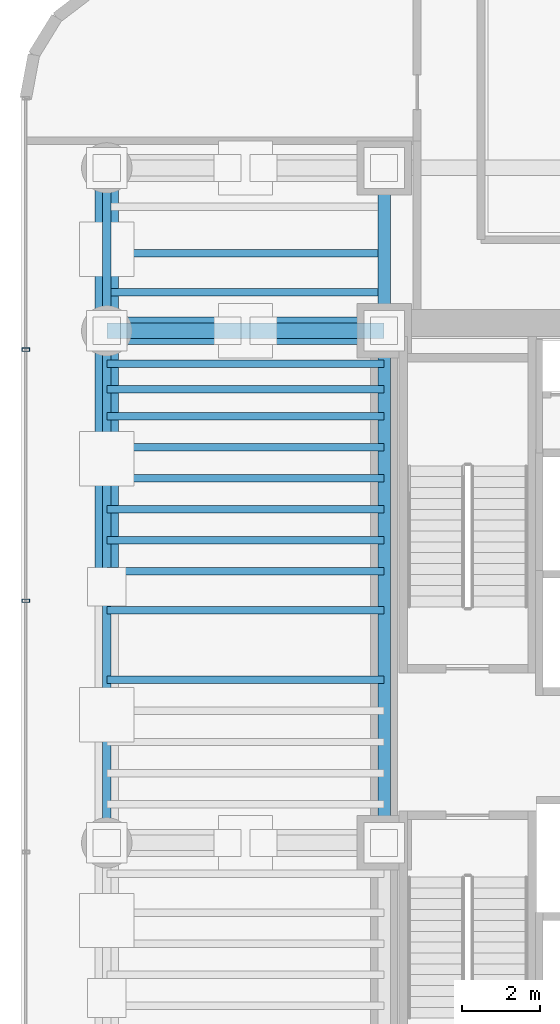
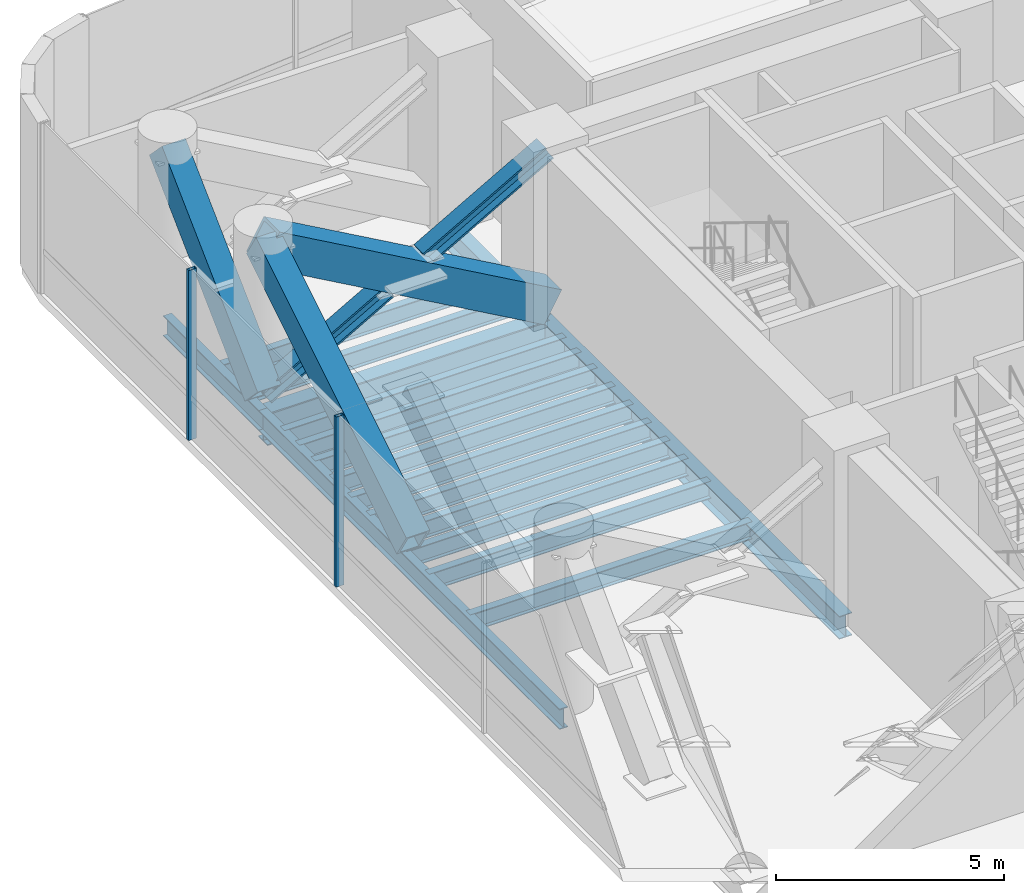
# One storey, part 11 of 39: 17 beams, 7 members, 1 element without a shape of its own.
"""IFC4 building model written with IfcOpenShell, lengths in metres."""

from ifc_helpers import new_model, si_unit, direction, frame, origin, origin_2d, place, context, subcontext, project, spatial, hollow_rectangle, i_section, extrude, source, transform, mapped, material, material_profile, profile_set, type_object, element, aggregate, save


model = new_model("IFC4")

# Units and contexts
model_context = context("Model", 3, precision=1e-05, world=origin(), true_north=direction((0.0, 1.0)))
body_context = subcontext(model_context, "Body", "Model", "MODEL_VIEW")
ifc_project = project(units=[si_unit("LENGTHUNIT", "METRE"), si_unit("AREAUNIT", "SQUARE_METRE"), si_unit("VOLUMEUNIT", "CUBIC_METRE"), si_unit("PLANEANGLEUNIT", "RADIAN"), si_unit("MASSUNIT", "GRAM", prefix="KILO")], contexts=[model_context])

# Site, building, storey
site_placement = place(None, origin())
site = spatial("IfcSite", under=ifc_project, at=site_placement, CompositionType="ELEMENT")
building_placement = place(site_placement, origin())
building = spatial("IfcBuilding", under=site, at=building_placement, Name="Valdorenza Pilgrim Sanctuary Tower", CompositionType="ELEMENT")
storey_placement = place(building_placement, frame((0.0, 0.0, 96.300048828125)))
storey = spatial("IfcBuildingStorey", under=building, at=storey_placement, Name="L24", CompositionType="ELEMENT", Elevation=96.300048828125)

# Beams
ifc_material_1 = material(Name="Steel ASTM A992 Grade 50", Category="steel")
ifc_material_profile_1 = material_profile(ifc_material_1, i_section(OverallWidth=0.214111328125, OverallDepth=0.549072265625, WebThickness=0.0146484375, FlangeThickness=0.023681640625, at=origin_2d()), Name="W21X93")
ifc_profile_set_1 = profile_set([ifc_material_profile_1], Name="Steel ASTM A992 Grade 50")
beam_type_1 = type_object("IfcBeamType", Name="STR-BM-SPN-W21A", PredefinedType="SPANDREL", material=ifc_profile_set_1)
shared_shape_1 = source(origin(), body_context, "Body", "SweptSolid", [
    extrude(i_section(OverallWidth=0.214111328125, OverallDepth=0.549072265625, WebThickness=0.0146484375, FlangeThickness=0.023681640625, at=origin_2d()), origin(), (0.0, 0.0, 1.0), 13.2001953125),
])
beam_1_placement = place(storey_placement, frame((-29.800048828125, -2.60009765625, -0.5146484375), z_axis=(0.0, 1.0, 0.0), x_axis=(-1.0, 0.0, 0.0)))
element("IfcBeam", 1, at=beam_1_placement, inside=storey, type_object=beam_type_1, Name="L24 Spandrel Beam WA-W-M0N1", PredefinedType="SPANDREL", context=body_context, shape_type="MappedRepresentation", body=[
    mapped(shared_shape_1, transform((0.0, 0.0, 0.0), x_axis=(1.0, 0.0, 0.0), y_axis=(0.0, 1.0, 0.0), z_axis=(0.0, 0.0, 1.0), scale=1.0)),
])
ifc_material_profile_2 = material_profile(ifc_material_1, i_section(OverallWidth=0.323974609375, OverallDepth=0.611083984375, WebThickness=0.0126953125, FlangeThickness=0.01904296875, at=origin_2d()), Name="W24X104")
ifc_profile_set_2 = profile_set([ifc_material_profile_2], Name="Steel ASTM A992 Grade 50")
beam_type_2 = type_object("IfcBeamType", Name="STR-BM-GRD-W24B", PredefinedType="BEAM", material=ifc_profile_set_2)
shared_shape_2 = source(origin(), body_context, "Body", "SweptSolid", [
    extrude(i_section(OverallWidth=0.323974609375, OverallDepth=0.611083984375, WebThickness=0.0126953125, FlangeThickness=0.01904296875, at=origin_2d()), origin(), (0.0, 0.0, 1.0), 13.2001953125),
])
beam_2_placement = place(storey_placement, frame((-22.64990234375, -2.60009765625, -0.545654296875), z_axis=(0.0, 1.0, 0.0), x_axis=(-1.0, 0.0, 0.0)))
element("IfcBeam", 2, at=beam_2_placement, inside=storey, type_object=beam_type_2, Name="L24 Core Tie Girder CA-W-M0N1", PredefinedType="BEAM", context=body_context, shape_type="MappedRepresentation", body=[
    mapped(shared_shape_2, transform((0.0, 0.0, 0.0), x_axis=(1.0, 0.0, 0.0), y_axis=(0.0, 1.0, 0.0), z_axis=(0.0, 0.0, 1.0), scale=1.0)),
])
shared_shape_3 = source(origin(), body_context, "Body", "SweptSolid", [
    extrude(i_section(OverallWidth=0.214111328125, OverallDepth=0.549072265625, WebThickness=0.0146484375, FlangeThickness=0.023681640625, at=origin_2d()), origin(), (0.0, 0.0, 1.0), 4.199951171875),
])
beam_3_placement = place(storey_placement, frame((-29.800048828125, 10.60009765625, -0.5146484375), z_axis=(0.0, 1.0, 0.0), x_axis=(-1.0, 0.0, 0.0)))
element("IfcBeam", 3, at=beam_3_placement, inside=storey, type_object=beam_type_1, Name="L24 Spandrel Beam WA-W-N1N2", PredefinedType="SPANDREL", context=body_context, shape_type="MappedRepresentation", body=[
    mapped(shared_shape_3, transform((0.0, 0.0, 0.0), x_axis=(1.0, 0.0, 0.0), y_axis=(0.0, 1.0, 0.0), z_axis=(0.0, 0.0, 1.0), scale=1.0)),
])
shared_shape_4 = source(origin(), body_context, "Body", "SweptSolid", [
    extrude(i_section(OverallWidth=0.323974609375, OverallDepth=0.611083984375, WebThickness=0.0126953125, FlangeThickness=0.01904296875, at=origin_2d()), origin(), (0.0, 0.0, 1.0), 4.199951171875),
])
beam_4_placement = place(storey_placement, frame((-22.64990234375, 10.60009765625, -0.545654296875), z_axis=(0.0, 1.0, 0.0), x_axis=(-1.0, 0.0, 0.0)))
element("IfcBeam", 4, at=beam_4_placement, inside=storey, type_object=beam_type_2, Name="L24 Core Tie Girder CA-W-N1N2", PredefinedType="BEAM", context=body_context, shape_type="MappedRepresentation", body=[
    mapped(shared_shape_4, transform((0.0, 0.0, 0.0), x_axis=(1.0, 0.0, 0.0), y_axis=(0.0, 1.0, 0.0), z_axis=(0.0, 0.0, 1.0), scale=1.0)),
])
ifc_material_profile_3 = material_profile(ifc_material_1, i_section(OverallWidth=0.193115234375, OverallDepth=0.466064453125, WebThickness=0.011474609375, FlangeThickness=0.01904296875, at=origin_2d()), Name="W18X65")
ifc_profile_set_3 = profile_set([ifc_material_profile_3], Name="Steel ASTM A992 Grade 50")
beam_type_3 = type_object("IfcBeamType", Name="STR-BM-JST-W18A", PredefinedType="JOIST", material=ifc_profile_set_3)
shared_shape_5 = source(origin(), body_context, "Body", "SweptSolid", [
    extrude(i_section(OverallWidth=0.193115234375, OverallDepth=0.466064453125, WebThickness=0.011474609375, FlangeThickness=0.01904296875, at=origin_2d()), origin(), (0.0, 0.0, 1.0), 7.150146484375),
])
for number, where, z_axis, x_axis, name in (
    (5, (-29.800048828125, 1.60009765625, -0.47314453125), (1.0, 0.0, 0.0), (0.0, 1.0, 0.0), "L24 Composite Floor Joist JST-WA-14"),
    (6, (-29.800048828125, 3.39990234375, -0.47314453125), (1.0, 0.0, 0.0), (0.0, 1.0, 0.0), "L24 Composite Floor Joist JST-WA-15"),
    (7, (-29.800048828125, 4.39990234375, -0.47314453125), (1.0, 0.0, 0.0), (0.0, 1.0, 0.0), "L24 Composite Floor Joist JST-WA-16"),
    (8, (-29.800048828125, 5.199951171875, -0.47314453125), (1.0, 0.0, 0.0), (0.0, 1.0, 0.0), "L24 Composite Floor Joist JST-WA-17"),
    (9, (-29.800048828125, 6.0, -0.47314453125), (1.0, 0.0, 0.0), (0.0, 1.0, 0.0), "L24 Composite Floor Joist JST-WA-18"),
    (10, (-29.800048828125, 6.800048828125, -0.47314453125), (1.0, 0.0, 0.0), (0.0, 1.0, 0.0), "L24 Composite Floor Joist JST-WA-19"),
    (11, (-29.800048828125, 7.60009765625, -0.47314453125), (1.0, 0.0, 0.0), (0.0, 1.0, 0.0), "L24 Composite Floor Joist JST-WA-20"),
    (12, (-29.800048828125, 8.39990234375, -0.47314453125), (1.0, 0.0, 0.0), (0.0, 1.0, 0.0), "L24 Composite Floor Joist JST-WA-21"),
    (13, (-29.800048828125, 9.10009765625, -0.47314453125), (1.0, 0.0, 0.0), (0.0, 1.0, 0.0), "L24 Composite Floor Joist JST-WA-22"),
    (14, (-29.800048828125, 9.75, -0.47314453125), (1.0, 0.0, 0.0), (0.0, 1.0, 0.0), "L24 Composite Floor Joist JST-WA-23"),
    (15, (-29.800048828125, 11.60009765625, -0.47314453125), (1.0, 0.0, 0.0), (0.0, 1.0, 0.0), "L24 Composite Floor Joist JST-WA-24"),
    (16, (-29.800048828125, 12.60009765625, -0.47314453125), (1.0, 0.0, 0.0), (0.0, 1.0, 0.0), "L24 Composite Floor Joist JST-WA-25"),
):
    element("IfcBeam", number, at=place(storey_placement, frame(where, z_axis=z_axis, x_axis=x_axis)), inside=storey, type_object=beam_type_3, Name=name, PredefinedType="JOIST", context=body_context, shape_type="MappedRepresentation", body=[
        mapped(shared_shape_5, transform((0.0, 0.0, 0.0), x_axis=(1.0, 0.0, 0.0), y_axis=(0.0, 1.0, 0.0), z_axis=(0.0, 0.0, 1.0), scale=1.0)),
    ])
ifc_material_profile_4 = material_profile(ifc_material_1, i_section(OverallWidth=0.39990234375, OverallDepth=0.862060546875, WebThickness=0.019775390625, FlangeThickness=0.032470703125, at=origin_2d()), Name="W33X221")
ifc_profile_set_4 = profile_set([ifc_material_profile_4], Name="Steel ASTM A992 Grade 50")
beam_type_4 = type_object("IfcBeamType", Name="STR-BM-GRD-W33", PredefinedType="BEAM", material=ifc_profile_set_4)
shared_shape_6 = source(origin(), body_context, "Body", "SweptSolid", [
    extrude(i_section(OverallWidth=0.39990234375, OverallDepth=0.862060546875, WebThickness=0.019775390625, FlangeThickness=0.032470703125, at=origin_2d()), origin(), (0.0, 0.0, 1.0), 7.150146484375),
])
beam_5_placement = place(storey_placement, frame((-29.800048828125, 10.60009765625, -0.671142578125), z_axis=(1.0, 0.0, 0.0), x_axis=(0.0, 1.0, 0.0)))
element("IfcBeam", 17, at=beam_5_placement, inside=storey, type_object=beam_type_4, Name="L24 Floor Girder WA-XW-N1", PredefinedType="BEAM", context=body_context, shape_type="MappedRepresentation", body=[
    mapped(shared_shape_6, transform((0.0, 0.0, 0.0), x_axis=(1.0, 0.0, 0.0), y_axis=(0.0, 1.0, 0.0), z_axis=(0.0, 0.0, 1.0), scale=1.0)),
])

# Members
ifc_material_2 = material(Name="Steel ASTM A572 Grade 42", Category="steel")
ifc_material_profile_5 = material_profile(ifc_material_2, hollow_rectangle(XDim=0.699951171875, YDim=0.89990234375, WallThickness=0.070068359375, at=origin_2d()), Name="BOX 900x700x70")
ifc_profile_set_5 = profile_set([ifc_material_profile_5], Name="Steel ASTM A572 Grade 42")
member_type_1 = type_object("IfcMemberType", Name="STR-MB-OUT-BOX900", PredefinedType="BRACE", material=ifc_profile_set_5)
shared_shape_7 = source(origin(), body_context, "Body", "SweptSolid", [
    extrude(hollow_rectangle(XDim=0.699951171875, YDim=0.89990234375, WallThickness=0.070068359375, at=origin_2d()), origin(), (0.0, 0.0, 1.0), 8.217529296875),
])
member_1_placement = place(storey_placement, frame((-22.64990234375, 10.60009765625, 0.199951171875), z_axis=(-0.870110951325, 0.0, 0.492855894135), x_axis=(0.0, -1.0, 0.0)))
element("IfcMember", 18, at=member_1_placement, inside=storey, type_object=member_type_1, Name="L24 Outrigger Truss Diagonal WA3A", PredefinedType="BRACE", context=body_context, shape_type="MappedRepresentation", body=[
    mapped(shared_shape_7, transform((0.0, 0.0, 0.0), x_axis=(1.0, 0.0, 0.0), y_axis=(0.0, 1.0, 0.0), z_axis=(0.0, 0.0, 1.0), scale=1.0)),
])
ifc_material_profile_6 = material_profile(ifc_material_1, i_section(OverallWidth=0.406005859375, OverallDepth=0.416015625, WebThickness=0.02978515625, FlangeThickness=0.048095703125, at=origin_2d()), Name="W14X257")
ifc_profile_set_6 = profile_set([ifc_material_profile_6], Name="Steel ASTM A992 Grade 50")
member_type_2 = type_object("IfcMemberType", Name="STR-MB-OUT-W257", PredefinedType="BRACE", material=ifc_profile_set_6)
shared_shape_8 = source(origin(), body_context, "Body", "SweptSolid", [
    extrude(i_section(OverallWidth=0.406005859375, OverallDepth=0.416015625, WebThickness=0.02978515625, FlangeThickness=0.048095703125, at=origin_2d()), origin(), (0.0, 0.0, 1.0), 3.572021484375),
])
for number, where, z_axis, x_axis, name in (
    (19, (-22.64990234375, 10.60009765625, 4.25), (-0.87011695789, 0.0, -0.492845289714), (0.0, -1.0, 0.0), "L24 Outrigger Truss Counter-Diagonal WA3B Lower Segment"),
    (20, (-26.69189453125, 10.60009765625, 1.96044921875), (-0.87011695789, 0.0, -0.492845289714), (0.0, -1.0, 0.0), "L24 Outrigger Truss Counter-Diagonal WA3B Upper Segment"),
):
    element("IfcMember", number, at=place(storey_placement, frame(where, z_axis=z_axis, x_axis=x_axis)), inside=storey, type_object=member_type_2, Name=name, PredefinedType="BRACE", context=body_context, shape_type="MappedRepresentation", body=[
        mapped(shared_shape_8, transform((0.0, 0.0, 0.0), x_axis=(1.0, 0.0, 0.0), y_axis=(0.0, 1.0, 0.0), z_axis=(0.0, 0.0, 1.0), scale=1.0)),
    ])
ifc_material_profile_7 = material_profile(ifc_material_2, hollow_rectangle(XDim=0.60009765625, YDim=0.800048828125, WallThickness=0.06005859375, at=origin_2d()), Name="BOX 800x600x60")
ifc_profile_set_7 = profile_set([ifc_material_profile_7], Name="Steel ASTM A572 Grade 42")
member_type_3 = type_object("IfcMemberType", Name="STR-MB-BLT-BOX800", PredefinedType="BRACE", material=ifc_profile_set_7)
shared_shape_9 = source(origin(), body_context, "Body", "SweptSolid", [
    extrude(hollow_rectangle(XDim=0.60009765625, YDim=0.800048828125, WallThickness=0.06005859375, at=origin_2d()), origin(), (0.0, 0.0, 1.0), 7.74365234375),
])
member_2_placement = place(storey_placement, frame((-29.800048828125, 4.0, 0.199951171875), z_axis=(0.0, 0.852323367486, 0.523015178783), x_axis=(-1.0, 0.0, 0.0)))
element("IfcMember", 21, at=member_2_placement, inside=storey, type_object=member_type_3, Name="L24 Perimeter Belt Truss Diagonal W4", PredefinedType="BRACE", context=body_context, shape_type="MappedRepresentation", body=[
    mapped(shared_shape_9, transform((0.0, 0.0, 0.0), x_axis=(1.0, 0.0, 0.0), y_axis=(0.0, 1.0, 0.0), z_axis=(0.0, 0.0, 1.0), scale=1.0)),
])
shared_shape_10 = source(origin(), body_context, "Body", "SweptSolid", [
    extrude(hollow_rectangle(XDim=0.60009765625, YDim=0.800048828125, WallThickness=0.06005859375, at=origin_2d()), origin(), (0.0, 0.0, 1.0), 5.83447265625),
])
member_3_placement = place(storey_placement, frame((-29.800048828125, 10.60009765625, 0.199951171875), z_axis=(0.0, 0.719836081517, 0.694144088606), x_axis=(-1.0, 0.0, 0.0)))
element("IfcMember", 22, at=member_3_placement, inside=storey, type_object=member_type_3, Name="L24 Perimeter Belt Truss Diagonal W5", PredefinedType="BRACE", context=body_context, shape_type="MappedRepresentation", body=[
    mapped(shared_shape_10, transform((0.0, 0.0, 0.0), x_axis=(1.0, 0.0, 0.0), y_axis=(0.0, 1.0, 0.0), z_axis=(0.0, 0.0, 1.0), scale=1.0)),
])

# Curtain wall, members
ifc_material_3 = material(Name="Curtain-wall IGU glazing", Category="glass")
curtain_wall_type = type_object("IfcCurtainWallType", Name="CW-SYS-02", PredefinedType="NOTDEFINED", material=ifc_material_3)
curtain_wall_placement = place(storey_placement, origin())
curtain_wall = element("IfcCurtainWall", 23, at=curtain_wall_placement, inside=storey, type_object=curtain_wall_type, Name="L24 Curtain Wall CW-L24-1-1", PredefinedType="NOTDEFINED")
ifc_material_4 = material(Name="Anodised aluminium AW-6060", Category="aluminium")
ifc_material_profile_8 = material_profile(ifc_material_4, hollow_rectangle(XDim=0.0849609375, YDim=0.199951171875, WallThickness=0.0048828125, at=origin_2d()), Name="ALU-M 200x85x5")
ifc_profile_set_8 = profile_set([ifc_material_profile_8], Name="Anodised aluminium AW-6060")
member_type_4 = type_object("IfcMemberType", Name="CW-MUL-02", PredefinedType="MULLION", material=ifc_profile_set_8)
shared_shape_11 = source(origin(), body_context, "Body", "SweptSolid", [
    extrude(hollow_rectangle(XDim=0.0849609375, YDim=0.199951171875, WallThickness=0.0048828125, at=origin_2d()), origin(), (0.0, 0.0, 1.0), 4.56005859375),
])
member_4_placement = place(storey_placement, frame((-31.889892578125, 3.640625, 0.0), z_axis=(0.0, 0.0, 1.0), x_axis=(0.0, 1.0, 0.0)))
member_4 = element("IfcMember", 24, at=member_4_placement, type_object=member_type_4, Name="CW-L24-1-1 Mullion 4", PredefinedType="MULLION", context=body_context, shape_type="MappedRepresentation", body=[
    mapped(shared_shape_11, transform((0.0, 0.0, 0.0), x_axis=(1.0, 0.0, 0.0), y_axis=(0.0, 1.0, 0.0), z_axis=(0.0, 0.0, 1.0), scale=1.0)),
])
member_5_placement = place(storey_placement, frame((-31.889892578125, 10.1171875, 0.0), z_axis=(0.0, 0.0, 1.0), x_axis=(0.0, 1.0, 0.0)))
member_5 = element("IfcMember", 25, at=member_5_placement, type_object=member_type_4, Name="CW-L24-1-1 Mullion 5", PredefinedType="MULLION", context=body_context, shape_type="MappedRepresentation", body=[
    mapped(shared_shape_11, transform((0.0, 0.0, 0.0), x_axis=(1.0, 0.0, 0.0), y_axis=(0.0, 1.0, 0.0), z_axis=(0.0, 0.0, 1.0), scale=1.0)),
])
aggregate(curtain_wall, [member_4, member_5])

save(model, "model.ifc")
